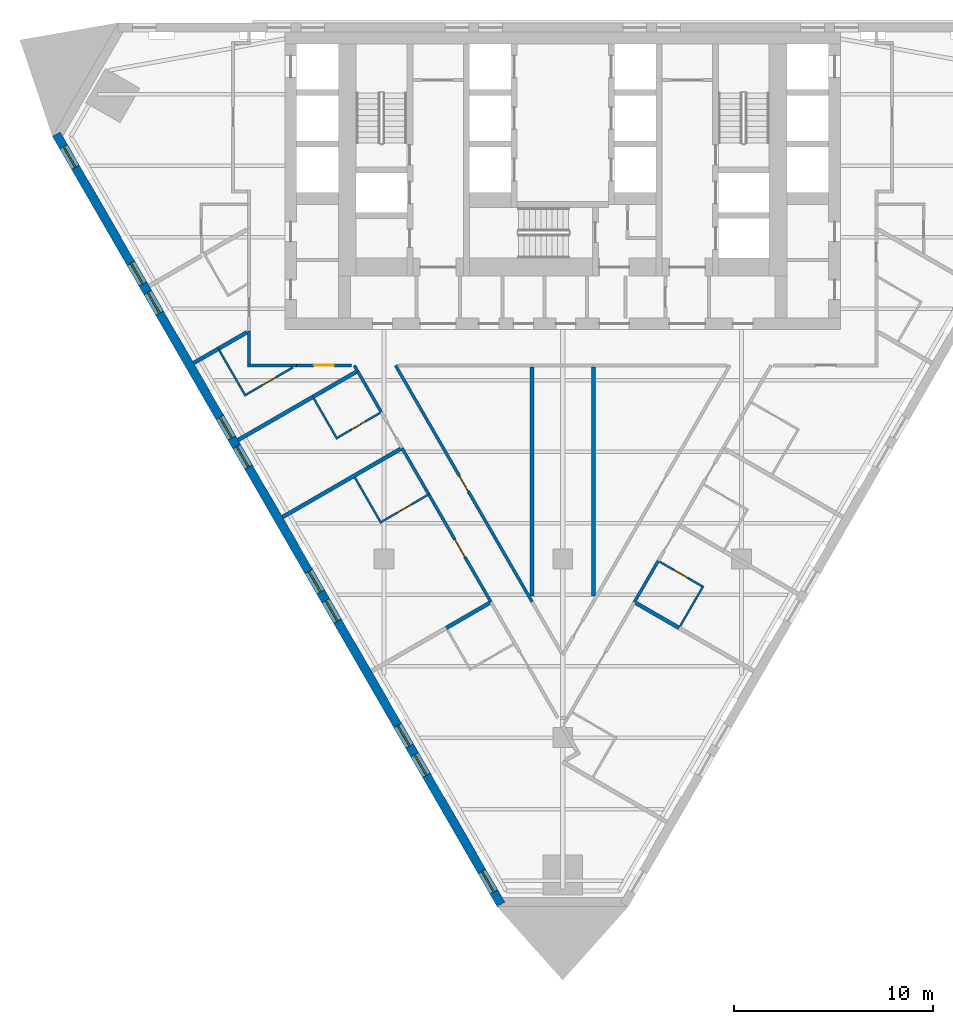
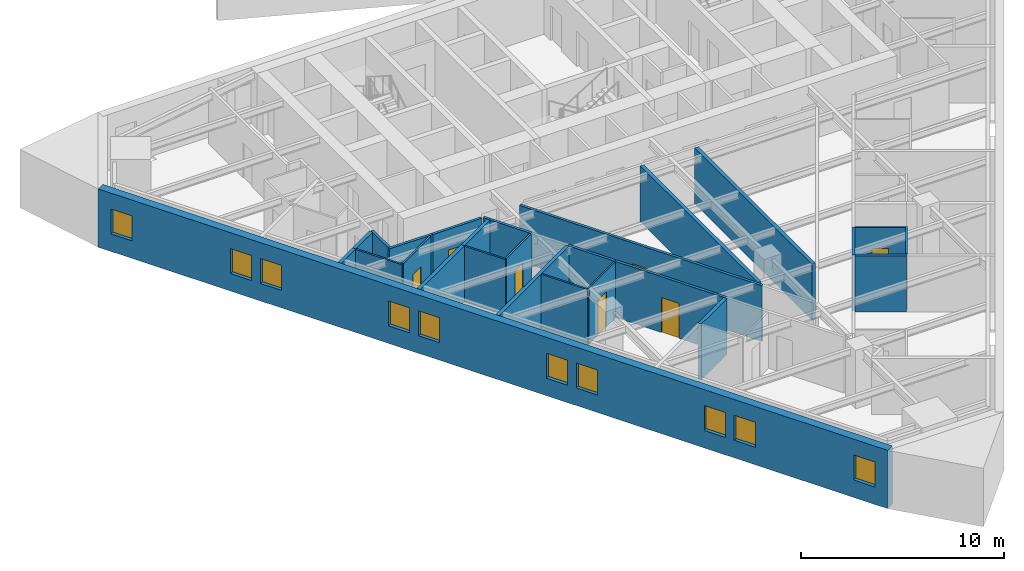
# One storey, part 3 of 11: 27 walls, 10 windows, 7 doors, 17 openings.
"""IFC4 building model written with IfcOpenShell, lengths in metres."""

from ifc_helpers import new_model, si_unit, direction, frame, frame_2d, origin, place, context, subcontext, project, spatial, polyline, rectangle, outline, extrude, material, layer, layer_set, type_object, element, fill, save


model = new_model("IFC4")

# Units and contexts
model_context = context("Model", 3, precision=1e-05, world=origin(), true_north=direction((0.0, 1.0)))
body_context = subcontext(model_context, "Body", "Model", "MODEL_VIEW")
ifc_project = project(units=[si_unit("LENGTHUNIT", "METRE"), si_unit("AREAUNIT", "SQUARE_METRE"), si_unit("VOLUMEUNIT", "CUBIC_METRE"), si_unit("PLANEANGLEUNIT", "RADIAN"), si_unit("MASSUNIT", "GRAM", prefix="KILO")], contexts=[model_context])

# Site, building, storey
site_placement = place(None, origin())
site = spatial("IfcSite", under=ifc_project, at=site_placement, CompositionType="ELEMENT")
building_placement = place(site_placement, origin())
building = spatial("IfcBuilding", under=site, at=building_placement, Name="Aloe Facet Convention Tower", CompositionType="ELEMENT")
storey_placement = place(building_placement, frame((0.0, 0.0, 38.5)))
storey = spatial("IfcBuildingStorey", under=building, at=storey_placement, Name="L07", CompositionType="ELEMENT", Elevation=38.5)

# Wall, openings, windows
ifc_material_1 = material(Name="Precast concrete C40/50", Category="concrete")
ifc_layer_1 = layer(ifc_material_1, 0.449951171875)
ifc_layer_set_1 = layer_set([ifc_layer_1], Name="EV-WALL-STONE")
wall_type_1 = type_object("IfcWallType", Name="EV-WALL-STONE", PredefinedType="SOLIDWALL", material=ifc_layer_set_1)
wall_1_placement = place(storey_placement, frame((54.494873046875, 129.396728515625, -0.14990234375), z_axis=(0.0, 0.0, 1.0), x_axis=(0.499999201451, -0.866025864826, 0.0)))
wall_1 = element("IfcWall", 1, at=wall_1_placement, inside=storey, type_object=wall_type_1, Name="EW-L07-W01", PredefinedType="SOLIDWALL", context=body_context, shape_type="SweptSolid", body=[
    extrude(outline(polyline([(44.800048828125, 0.0), (44.800048828125, 3.5), (0.0, 3.5), (0.0, 0.0), (44.800048828125, 0.0)])), frame((0.0, 0.22509765625, 0.0), z_axis=(0.0, -1.0, 0.0), x_axis=(1.0, 0.0, 0.0)), (0.0, 0.0, 1.0), 0.449951171875),
])
opening_1_placement = place(wall_1_placement, frame((0.72216796875, 0.0, 1.050048828125)))
opening_1 = element("IfcOpeningElement", 2, at=opening_1_placement, cuts=wall_1, Name="Opening W-L07-W01", PredefinedType="OPENING", context=body_context, shape_type="SweptSolid", body=[
    extrude(rectangle(XDim=1.199951171875, YDim=1.5, at=frame_2d((0.60009765625, 0.75))), frame((0.0, 0.23486328125, 0.0), z_axis=(0.0, -1.0, 0.0), x_axis=(1.0, 0.0, 0.0)), (0.0, 0.0, 1.0), 0.469970703125),
])
opening_2_placement = place(wall_1_placement, frame((7.510009765625, 0.0, 1.050048828125)))
opening_2 = element("IfcOpeningElement", 3, at=opening_2_placement, cuts=wall_1, Name="Opening W-L07-W02", PredefinedType="OPENING", context=body_context, shape_type="SweptSolid", body=[
    extrude(rectangle(XDim=1.199951171875, YDim=1.5, at=frame_2d((0.60009765625, 0.75))), frame((0.0, 0.23486328125, 0.0), z_axis=(0.0, -1.0, 0.0), x_axis=(1.0, 0.0, 0.0)), (0.0, 0.0, 1.0), 0.469970703125),
])
opening_3_placement = place(wall_1_placement, frame((9.2099609375, 0.0, 1.050048828125)))
opening_3 = element("IfcOpeningElement", 4, at=opening_3_placement, cuts=wall_1, Name="Opening W-L07-W03", PredefinedType="OPENING", context=body_context, shape_type="SweptSolid", body=[
    extrude(rectangle(XDim=1.199951171875, YDim=1.5, at=frame_2d((0.60009765625, 0.75))), frame((0.0, 0.23486328125, 0.0), z_axis=(0.0, -1.0, 0.0), x_axis=(1.0, 0.0, 0.0)), (0.0, 0.0, 1.0), 0.469970703125),
])
opening_4_placement = place(wall_1_placement, frame((16.469970703125, 0.0, 1.050048828125)))
opening_4 = element("IfcOpeningElement", 5, at=opening_4_placement, cuts=wall_1, Name="Opening W-L07-W04", PredefinedType="OPENING", context=body_context, shape_type="SweptSolid", body=[
    extrude(rectangle(XDim=1.199951171875, YDim=1.5, at=frame_2d((0.60009765625, 0.75))), frame((0.0, 0.23486328125, 0.0), z_axis=(0.0, -1.0, 0.0), x_axis=(1.0, 0.0, 0.0)), (0.0, 0.0, 1.0), 0.469970703125),
])
opening_5_placement = place(wall_1_placement, frame((18.169921875, 0.0, 1.050048828125)))
opening_5 = element("IfcOpeningElement", 6, at=opening_5_placement, cuts=wall_1, Name="Opening W-L07-W05", PredefinedType="OPENING", context=body_context, shape_type="SweptSolid", body=[
    extrude(rectangle(XDim=1.199951171875, YDim=1.5, at=frame_2d((0.60009765625, 0.75))), frame((0.0, 0.23486328125, 0.0), z_axis=(0.0, -1.0, 0.0), x_axis=(1.0, 0.0, 0.0)), (0.0, 0.0, 1.0), 0.469970703125),
])
opening_6_placement = place(wall_1_placement, frame((25.429931640625, 0.0, 1.050048828125)))
opening_6 = element("IfcOpeningElement", 7, at=opening_6_placement, cuts=wall_1, Name="Opening W-L07-W06", PredefinedType="OPENING", context=body_context, shape_type="SweptSolid", body=[
    extrude(rectangle(XDim=1.199951171875, YDim=1.5, at=frame_2d((0.60009765625, 0.75))), frame((0.0, 0.23486328125, 0.0), z_axis=(0.0, -1.0, 0.0), x_axis=(1.0, 0.0, 0.0)), (0.0, 0.0, 1.0), 0.469970703125),
])
opening_7_placement = place(wall_1_placement, frame((27.1298828125, 0.0, 1.050048828125)))
opening_7 = element("IfcOpeningElement", 8, at=opening_7_placement, cuts=wall_1, Name="Opening W-L07-W07", PredefinedType="OPENING", context=body_context, shape_type="SweptSolid", body=[
    extrude(rectangle(XDim=1.199951171875, YDim=1.5, at=frame_2d((0.60009765625, 0.75))), frame((0.0, 0.23486328125, 0.0), z_axis=(0.0, -1.0, 0.0), x_axis=(1.0, 0.0, 0.0)), (0.0, 0.0, 1.0), 0.469970703125),
])
opening_8_placement = place(wall_1_placement, frame((34.389892578125, 0.0, 1.050048828125)))
opening_8 = element("IfcOpeningElement", 9, at=opening_8_placement, cuts=wall_1, Name="Opening W-L07-W08", PredefinedType="OPENING", context=body_context, shape_type="SweptSolid", body=[
    extrude(rectangle(XDim=1.199951171875, YDim=1.5, at=frame_2d((0.60009765625, 0.75))), frame((0.0, 0.23486328125, 0.0), z_axis=(0.0, -1.0, 0.0), x_axis=(1.0, 0.0, 0.0)), (0.0, 0.0, 1.0), 0.469970703125),
])
opening_9_placement = place(wall_1_placement, frame((36.090087890625, 0.0, 1.050048828125)))
opening_9 = element("IfcOpeningElement", 10, at=opening_9_placement, cuts=wall_1, Name="Opening W-L07-W09", PredefinedType="OPENING", context=body_context, shape_type="SweptSolid", body=[
    extrude(rectangle(XDim=1.199951171875, YDim=1.5, at=frame_2d((0.60009765625, 0.75))), frame((0.0, 0.23486328125, 0.0), z_axis=(0.0, -1.0, 0.0), x_axis=(1.0, 0.0, 0.0)), (0.0, 0.0, 1.0), 0.469970703125),
])
opening_10_placement = place(wall_1_placement, frame((42.8779296875, 0.0, 1.050048828125)))
opening_10 = element("IfcOpeningElement", 11, at=opening_10_placement, cuts=wall_1, Name="Opening W-L07-W10", PredefinedType="OPENING", context=body_context, shape_type="SweptSolid", body=[
    extrude(rectangle(XDim=1.199951171875, YDim=1.5, at=frame_2d((0.60009765625, 0.75))), frame((0.0, 0.23486328125, 0.0), z_axis=(0.0, -1.0, 0.0), x_axis=(1.0, 0.0, 0.0)), (0.0, 0.0, 1.0), 0.469970703125),
])
ifc_material_2 = material(Name="Aluminium frame, clear double glazing", Category="aluminium")
window_type = type_object("IfcWindowType", Name="EV-WIN-H12", PartitioningType="SINGLE_PANEL", PredefinedType="WINDOW", material=ifc_material_2)
window_1_placement = place(opening_1_placement, origin())
window_1 = element("IfcWindow", 12, at=window_1_placement, inside=storey, type_object=window_type, Name="W-L07-W01", OverallHeight=1.5, OverallWidth=1.199951171875, PartitioningType="SINGLE_PANEL", PredefinedType="WINDOW", context=body_context, shape_type="SweptSolid", body=[
    extrude(rectangle(XDim=1.199951171875, YDim=1.5, at=frame_2d((0.60009765625, 0.75))), frame((0.0, 0.030029296875, 0.0), z_axis=(0.0, -1.0, 0.0), x_axis=(1.0, 0.0, 0.0)), (0.0, 0.0, 1.0), 0.06005859375),
])
fill(opening_1, window_1)
window_2_placement = place(opening_2_placement, origin())
window_2 = element("IfcWindow", 13, at=window_2_placement, inside=storey, type_object=window_type, Name="W-L07-W02", OverallHeight=1.5, OverallWidth=1.199951171875, PartitioningType="SINGLE_PANEL", PredefinedType="WINDOW", context=body_context, shape_type="SweptSolid", body=[
    extrude(rectangle(XDim=1.199951171875, YDim=1.5, at=frame_2d((0.60009765625, 0.75))), frame((0.0, 0.030029296875, 0.0), z_axis=(0.0, -1.0, 0.0), x_axis=(1.0, 0.0, 0.0)), (0.0, 0.0, 1.0), 0.06005859375),
])
fill(opening_2, window_2)
window_3_placement = place(opening_3_placement, origin())
window_3 = element("IfcWindow", 14, at=window_3_placement, inside=storey, type_object=window_type, Name="W-L07-W03", OverallHeight=1.5, OverallWidth=1.199951171875, PartitioningType="SINGLE_PANEL", PredefinedType="WINDOW", context=body_context, shape_type="SweptSolid", body=[
    extrude(rectangle(XDim=1.199951171875, YDim=1.5, at=frame_2d((0.60009765625, 0.75))), frame((0.0, 0.030029296875, 0.0), z_axis=(0.0, -1.0, 0.0), x_axis=(1.0, 0.0, 0.0)), (0.0, 0.0, 1.0), 0.06005859375),
])
fill(opening_3, window_3)
window_4_placement = place(opening_4_placement, origin())
window_4 = element("IfcWindow", 15, at=window_4_placement, inside=storey, type_object=window_type, Name="W-L07-W04", OverallHeight=1.5, OverallWidth=1.199951171875, PartitioningType="SINGLE_PANEL", PredefinedType="WINDOW", context=body_context, shape_type="SweptSolid", body=[
    extrude(rectangle(XDim=1.199951171875, YDim=1.5, at=frame_2d((0.60009765625, 0.75))), frame((0.0, 0.030029296875, 0.0), z_axis=(0.0, -1.0, 0.0), x_axis=(1.0, 0.0, 0.0)), (0.0, 0.0, 1.0), 0.06005859375),
])
fill(opening_4, window_4)
window_5_placement = place(opening_5_placement, origin())
window_5 = element("IfcWindow", 16, at=window_5_placement, inside=storey, type_object=window_type, Name="W-L07-W05", OverallHeight=1.5, OverallWidth=1.199951171875, PartitioningType="SINGLE_PANEL", PredefinedType="WINDOW", context=body_context, shape_type="SweptSolid", body=[
    extrude(rectangle(XDim=1.199951171875, YDim=1.5, at=frame_2d((0.60009765625, 0.75))), frame((0.0, 0.030029296875, 0.0), z_axis=(0.0, -1.0, 0.0), x_axis=(1.0, 0.0, 0.0)), (0.0, 0.0, 1.0), 0.06005859375),
])
fill(opening_5, window_5)
window_6_placement = place(opening_6_placement, origin())
window_6 = element("IfcWindow", 17, at=window_6_placement, inside=storey, type_object=window_type, Name="W-L07-W06", OverallHeight=1.5, OverallWidth=1.199951171875, PartitioningType="SINGLE_PANEL", PredefinedType="WINDOW", context=body_context, shape_type="SweptSolid", body=[
    extrude(rectangle(XDim=1.199951171875, YDim=1.5, at=frame_2d((0.60009765625, 0.75))), frame((0.0, 0.030029296875, 0.0), z_axis=(0.0, -1.0, 0.0), x_axis=(1.0, 0.0, 0.0)), (0.0, 0.0, 1.0), 0.06005859375),
])
fill(opening_6, window_6)
window_7_placement = place(opening_7_placement, origin())
window_7 = element("IfcWindow", 18, at=window_7_placement, inside=storey, type_object=window_type, Name="W-L07-W07", OverallHeight=1.5, OverallWidth=1.199951171875, PartitioningType="SINGLE_PANEL", PredefinedType="WINDOW", context=body_context, shape_type="SweptSolid", body=[
    extrude(rectangle(XDim=1.199951171875, YDim=1.5, at=frame_2d((0.60009765625, 0.75))), frame((0.0, 0.030029296875, 0.0), z_axis=(0.0, -1.0, 0.0), x_axis=(1.0, 0.0, 0.0)), (0.0, 0.0, 1.0), 0.06005859375),
])
fill(opening_7, window_7)
window_8_placement = place(opening_8_placement, origin())
window_8 = element("IfcWindow", 19, at=window_8_placement, inside=storey, type_object=window_type, Name="W-L07-W08", OverallHeight=1.5, OverallWidth=1.199951171875, PartitioningType="SINGLE_PANEL", PredefinedType="WINDOW", context=body_context, shape_type="SweptSolid", body=[
    extrude(rectangle(XDim=1.199951171875, YDim=1.5, at=frame_2d((0.60009765625, 0.75))), frame((0.0, 0.030029296875, 0.0), z_axis=(0.0, -1.0, 0.0), x_axis=(1.0, 0.0, 0.0)), (0.0, 0.0, 1.0), 0.06005859375),
])
fill(opening_8, window_8)
window_9_placement = place(opening_9_placement, origin())
window_9 = element("IfcWindow", 20, at=window_9_placement, inside=storey, type_object=window_type, Name="W-L07-W09", OverallHeight=1.5, OverallWidth=1.199951171875, PartitioningType="SINGLE_PANEL", PredefinedType="WINDOW", context=body_context, shape_type="SweptSolid", body=[
    extrude(rectangle(XDim=1.199951171875, YDim=1.5, at=frame_2d((0.60009765625, 0.75))), frame((0.0, 0.030029296875, 0.0), z_axis=(0.0, -1.0, 0.0), x_axis=(1.0, 0.0, 0.0)), (0.0, 0.0, 1.0), 0.06005859375),
])
fill(opening_9, window_9)
window_10_placement = place(opening_10_placement, origin())
window_10 = element("IfcWindow", 21, at=window_10_placement, inside=storey, type_object=window_type, Name="W-L07-W10", OverallHeight=1.5, OverallWidth=1.199951171875, PartitioningType="SINGLE_PANEL", PredefinedType="WINDOW", context=body_context, shape_type="SweptSolid", body=[
    extrude(rectangle(XDim=1.199951171875, YDim=1.5, at=frame_2d((0.60009765625, 0.75))), frame((0.0, 0.030029296875, 0.0), z_axis=(0.0, -1.0, 0.0), x_axis=(1.0, 0.0, 0.0)), (0.0, 0.0, 1.0), 0.06005859375),
])
fill(opening_10, window_10)

# Wall, opening, door
ifc_material_3 = material(Name="Gypsum board partition on steel studs", Category="steel")
ifc_layer_2 = layer(ifc_material_3, 0.14990234375)
ifc_layer_set_2 = layer_set([ifc_layer_2], Name="IN-W-CORR")
wall_type_2 = type_object("IfcWallType", Name="IN-W-CORR", PredefinedType="PARTITIONING", material=ifc_layer_set_2)
wall_2_placement = place(storey_placement, frame((73.253662109375, 111.255615234375, 0.0), z_axis=(0.0, 0.0, 1.0), x_axis=(0.5000044583, -0.866022829768, 0.0)))
wall_2 = element("IfcWall", 22, at=wall_2_placement, inside=storey, type_object=wall_type_2, Name="Partition L07-W024", PredefinedType="PARTITIONING", context=body_context, shape_type="SweptSolid", body=[
    extrude(rectangle(XDim=6.27001953125, YDim=0.14990234375, at=frame_2d((3.135009765625, 0.0))), origin(), (0.0, 0.0, 1.0), 3.35009765625),
])
opening_11_placement = place(wall_2_placement, frame((2.635009765625, 0.0, 0.0)))
opening_11 = element("IfcOpeningElement", 23, at=opening_11_placement, cuts=wall_2, Name="Opening L07-006", PredefinedType="OPENING", context=body_context, shape_type="SweptSolid", body=[
    extrude(rectangle(XDim=1.0, YDim=2.10009765625, at=frame_2d((0.5, 1.050048828125))), frame((0.0, 0.0849609375, 0.0), z_axis=(0.0, -1.0, 0.0), x_axis=(1.0, 0.0, 0.0)), (0.0, 0.0, 1.0), 0.169921875),
])
ifc_material_4 = material(Name="Hardwood flush door FD30S", Category="wood")
door_type_1 = type_object("IfcDoorType", Name="IN-D-WIDE", OperationType="SINGLE_SWING_LEFT", PredefinedType="DOOR", material=ifc_material_4)
door_1_placement = place(opening_11_placement, origin())
door_1 = element("IfcDoor", 24, at=door_1_placement, inside=storey, type_object=door_type_1, Name="Door L07-006", OperationType="SINGLE_SWING_LEFT", OverallHeight=2.10009765625, OverallWidth=1.0, PredefinedType="DOOR", context=body_context, shape_type="SweptSolid", body=[
    extrude(rectangle(XDim=1.0, YDim=2.10009765625, at=frame_2d((0.5, 1.050048828125))), frame((0.0, 0.02490234375, 0.0), z_axis=(0.0, -1.0, 0.0), x_axis=(1.0, 0.0, 0.0)), (0.0, 0.0, 1.0), 0.050048828125),
])
fill(opening_11, door_1)

# Wall
wall_3_placement = place(storey_placement, frame((83.611328125, 105.82568359375, 0.0), z_axis=(0.0, 0.0, 1.0), x_axis=(0.500077600433, 0.865980596518, 0.0)))
element("IfcWall", 25, at=wall_3_placement, inside=storey, type_object=wall_type_2, Name="Partition L07-W026", PredefinedType="PARTITIONING", context=body_context, shape_type="SweptSolid", body=[
    extrude(rectangle(XDim=2.39990234375, YDim=0.14990234375, at=frame_2d((1.199951171875, 0.0))), origin(), (0.0, 0.0, 1.0), 3.35009765625),
])

# Wall, opening, door
wall_4_placement = place(storey_placement, frame((71.58251953125, 117.75, 0.0), z_axis=(0.0, 0.0, 1.0), x_axis=(0.500001770766, -0.86602438143, 0.0)))
wall_4 = element("IfcWall", 26, at=wall_4_placement, inside=storey, type_object=wall_type_2, Name="Partition L07-W028", PredefinedType="PARTITIONING", context=body_context, shape_type="SweptSolid", body=[
    extrude(rectangle(XDim=13.7451171875, YDim=0.14990234375, at=frame_2d((6.87255859375, 0.0))), origin(), (0.0, 0.0, 1.0), 3.35009765625),
])
opening_12_placement = place(wall_4_placement, frame((6.42236328125, 0.0, 0.0)))
opening_12 = element("IfcOpeningElement", 27, at=opening_12_placement, cuts=wall_4, Name="Opening L07-013", PredefinedType="OPENING", context=body_context, shape_type="SweptSolid", body=[
    extrude(rectangle(XDim=0.89990234375, YDim=2.10009765625, at=frame_2d((0.449951171875, 1.050048828125))), frame((0.0, 0.0849609375, 0.0), z_axis=(0.0, -1.0, 0.0), x_axis=(1.0, 0.0, 0.0)), (0.0, 0.0, 1.0), 0.169921875),
])
ifc_material_5 = material(Name="Hardwood flush door FD30S", Category="wood")
door_type_2 = type_object("IfcDoorType", Name="IN-D-GUEST", OperationType="SINGLE_SWING_LEFT", PredefinedType="DOOR", material=ifc_material_5)
door_2_placement = place(opening_12_placement, origin())
door_2 = element("IfcDoor", 28, at=door_2_placement, inside=storey, type_object=door_type_2, Name="Door L07-013", OperationType="SINGLE_SWING_LEFT", OverallHeight=2.10009765625, OverallWidth=0.89990234375, PredefinedType="DOOR", context=body_context, shape_type="SweptSolid", body=[
    extrude(rectangle(XDim=0.89990234375, YDim=2.10009765625, at=frame_2d((0.449951171875, 1.050048828125))), frame((0.0, 0.02490234375, 0.0), z_axis=(0.0, -1.0, 0.0), x_axis=(1.0, 0.0, 0.0)), (0.0, 0.0, 1.0), 0.050048828125),
])
fill(opening_12, door_2)

# Walls
wall_5_placement = place(storey_placement, frame((71.90869140625, 113.585205078125, 0.0), z_axis=(0.0, 0.0, 1.0), x_axis=(0.499994808408, -0.866028401131, 0.0)))
element("IfcWall", 29, at=wall_5_placement, inside=storey, type_object=wall_type_2, Name="Partition L07-W049", PredefinedType="PARTITIONING", context=body_context, shape_type="SweptSolid", body=[
    extrude(rectangle(XDim=2.68994140625, YDim=0.14990234375, at=frame_2d((1.344970703125, 0.0))), origin(), (0.0, 0.0, 1.0), 3.35009765625),
])
wall_6_placement = place(storey_placement, frame((69.668701171875, 117.465087890625, 0.0), z_axis=(0.0, 0.0, 1.0), x_axis=(0.499940577336, -0.866059708757, 0.0)))
element("IfcWall", 30, at=wall_6_placement, inside=storey, type_object=wall_type_2, Name="Partition L07-W062", PredefinedType="PARTITIONING", context=body_context, shape_type="SweptSolid", body=[
    extrude(rectangle(XDim=2.389892578125, YDim=0.14990234375, at=frame_2d((1.19482421875, 0.0))), origin(), (0.0, 0.0, 1.0), 3.35009765625),
])
wall_7_placement = place(storey_placement, frame((69.504150390625, 117.75, 0.0), z_axis=(0.0, 0.0, 1.0), x_axis=(0.500129239174, -0.865950774653, 0.0)))
element("IfcWall", 31, at=wall_7_placement, inside=storey, type_object=wall_type_2, Name="Partition L07-W063", PredefinedType="PARTITIONING", context=body_context, shape_type="SweptSolid", body=[
    extrude(rectangle(XDim=0.3291015625, YDim=0.14990234375, at=frame_2d((0.16455078125, 0.0))), origin(), (0.0, 0.0, 1.0), 3.35009765625),
])
wall_8_placement = place(storey_placement, frame((64.125, 117.75, 0.0), z_axis=(0.0, 0.0, 1.0), x_axis=(1.0, 0.0, 0.0)))
element("IfcWall", 32, at=wall_8_placement, inside=storey, type_object=wall_type_2, Name="Partition L07-W064", PredefinedType="PARTITIONING", context=body_context, shape_type="SweptSolid", body=[
    extrude(rectangle(XDim=2.45703125, YDim=0.14990234375, at=frame_2d((1.228515625, 0.0))), origin(), (0.0, 0.0, 1.0), 3.35009765625),
])

# Wall, opening, door
wall_9_placement = place(storey_placement, frame((66.58203125, 117.75, 0.0), z_axis=(0.0, 0.0, 1.0), x_axis=(1.0, 0.0, 0.0)))
wall_9 = element("IfcWall", 33, at=wall_9_placement, inside=storey, type_object=wall_type_2, Name="Partition L07-W066", PredefinedType="PARTITIONING", context=body_context, shape_type="SweptSolid", body=[
    extrude(rectangle(XDim=2.792236328125, YDim=0.14990234375, at=frame_2d((1.39599609375, 0.0))), origin(), (0.0, 0.0, 1.0), 3.35009765625),
])
opening_13_placement = place(wall_9_placement, frame((0.89599609375, 0.0, 0.0)))
opening_13 = element("IfcOpeningElement", 34, at=opening_13_placement, cuts=wall_9, Name="Opening L07-004", PredefinedType="OPENING", context=body_context, shape_type="SweptSolid", body=[
    extrude(rectangle(XDim=1.0, YDim=2.10009765625, at=frame_2d((0.5, 1.050048828125))), frame((0.0, 0.0849609375, 0.0), z_axis=(0.0, -1.0, 0.0), x_axis=(1.0, 0.0, 0.0)), (0.0, 0.0, 1.0), 0.169921875),
])
door_3_placement = place(opening_13_placement, origin())
door_3 = element("IfcDoor", 35, at=door_3_placement, inside=storey, type_object=door_type_1, Name="Door L07-004", OperationType="SINGLE_SWING_LEFT", OverallHeight=2.10009765625, OverallWidth=1.0, PredefinedType="DOOR", context=body_context, shape_type="SweptSolid", body=[
    extrude(rectangle(XDim=1.0, YDim=2.10009765625, at=frame_2d((0.5, 1.050048828125))), frame((0.0, 0.02490234375, 0.0), z_axis=(0.0, -1.0, 0.0), x_axis=(1.0, 0.0, 0.0)), (0.0, 0.0, 1.0), 0.050048828125),
])
fill(opening_13, door_3)

# Walls
wall_10_placement = place(storey_placement, frame((64.199951171875, 117.824951171875, 0.0), z_axis=(0.0, 0.0, 1.0), x_axis=(0.0, 1.0, 0.0)))
element("IfcWall", 36, at=wall_10_placement, inside=storey, type_object=wall_type_2, Name="Partition L07-W075", PredefinedType="PARTITIONING", context=body_context, shape_type="SweptSolid", body=[
    extrude(rectangle(XDim=1.65576171875, YDim=0.14990234375, at=frame_2d((0.827880859375, 0.0))), origin(), (0.0, 0.0, 1.0), 3.35009765625),
])
ifc_material_6 = material(Name="Gypsum board partition on steel studs", Category="steel")
ifc_layer_3 = layer(ifc_material_6, 0.10009765625)
ifc_layer_set_3 = layer_set([ifc_layer_3], Name="IN-W-PART")
wall_type_3 = type_object("IfcWallType", Name="IN-W-PART", PredefinedType="PARTITIONING", material=ifc_layer_set_3)
wall_11_placement = place(storey_placement, frame((85.91796875, 104.620849609375, 0.0), z_axis=(0.0, 0.0, 1.0), x_axis=(0.500032503492, 0.866006637072, 0.0)))
element("IfcWall", 37, at=wall_11_placement, inside=storey, type_object=wall_type_3, Name="Partition L07-W033", PredefinedType="PARTITIONING", context=body_context, shape_type="SweptSolid", body=[
    extrude(rectangle(XDim=2.340087890625, YDim=0.10009765625, at=frame_2d((1.169921875, 0.0))), origin(), (0.0, 0.0, 1.0), 3.35009765625),
])

# Wall, opening, door
wall_12_placement = place(storey_placement, frame((84.885009765625, 107.861572265625, 0.0), z_axis=(0.0, 0.0, 1.0), x_axis=(0.866040446274, -0.499973944738, 0.0)))
wall_12 = element("IfcWall", 38, at=wall_12_placement, inside=storey, type_object=wall_type_3, Name="Partition L07-W034", PredefinedType="PARTITIONING", context=body_context, shape_type="SweptSolid", body=[
    extrude(rectangle(XDim=2.465087890625, YDim=0.10009765625, at=frame_2d((1.232421875, 0.0))), origin(), (0.0, 0.0, 1.0), 3.35009765625),
])
opening_14_placement = place(wall_12_placement, frame((0.83251953125, 0.0, 0.0)))
opening_14 = element("IfcOpeningElement", 39, at=opening_14_placement, cuts=wall_12, Name="Opening L07-024", PredefinedType="OPENING", context=body_context, shape_type="SweptSolid", body=[
    extrude(rectangle(XDim=0.800048828125, YDim=2.10009765625, at=frame_2d((0.39990234375, 1.050048828125))), frame((0.0, 0.06005859375, 0.0), z_axis=(0.0, -1.0, 0.0), x_axis=(1.0, 0.0, 0.0)), (0.0, 0.0, 1.0), 0.1201171875),
])
ifc_material_7 = material(Name="Timber flush door", Category="wood")
door_type_3 = type_object("IfcDoorType", Name="IN-D-BATH", OperationType="SINGLE_SWING_LEFT", PredefinedType="DOOR", material=ifc_material_7)
door_4_placement = place(opening_14_placement, origin())
door_4 = element("IfcDoor", 40, at=door_4_placement, inside=storey, type_object=door_type_3, Name="Door L07-024", OperationType="SINGLE_SWING_LEFT", OverallHeight=2.10009765625, OverallWidth=0.800048828125, PredefinedType="DOOR", context=body_context, shape_type="SweptSolid", body=[
    extrude(rectangle(XDim=0.800048828125, YDim=2.10009765625, at=frame_2d((0.39990234375, 1.050048828125))), frame((0.0, 0.02490234375, 0.0), z_axis=(0.0, -1.0, 0.0), x_axis=(1.0, 0.0, 0.0)), (0.0, 0.0, 1.0), 0.050048828125),
])
fill(opening_14, door_4)

# Wall
wall_13_placement = place(storey_placement, frame((69.53369140625, 112.0986328125, 0.0), z_axis=(0.0, 0.0, 1.0), x_axis=(0.499993606316, -0.866029095148, 0.0)))
element("IfcWall", 41, at=wall_13_placement, inside=storey, type_object=wall_type_3, Name="Partition L07-W039", PredefinedType="PARTITIONING", context=body_context, shape_type="SweptSolid", body=[
    extrude(rectangle(XDim=2.64990234375, YDim=0.10009765625, at=frame_2d((1.324951171875, 0.0))), origin(), (0.0, 0.0, 1.0), 3.35009765625),
])

# Wall, opening, door
wall_14_placement = place(storey_placement, frame((70.885498046875, 109.877197265625, 0.0), z_axis=(0.0, 0.0, 1.0), x_axis=(0.864248761918, 0.503064685228, 0.0)))
wall_14 = element("IfcWall", 42, at=wall_14_placement, inside=storey, type_object=wall_type_3, Name="Partition L07-W043", PredefinedType="PARTITIONING", context=body_context, shape_type="SweptSolid", body=[
    extrude(rectangle(XDim=2.655029296875, YDim=0.10009765625, at=frame_2d((1.32763671875, 0.0))), origin(), (0.0, 0.0, 1.0), 3.35009765625),
])
opening_15_placement = place(wall_14_placement, frame((0.927490234375, 0.0, 0.0)))
opening_15 = element("IfcOpeningElement", 43, at=opening_15_placement, cuts=wall_14, Name="Opening L07-021", PredefinedType="OPENING", context=body_context, shape_type="SweptSolid", body=[
    extrude(rectangle(XDim=0.800048828125, YDim=2.10009765625, at=frame_2d((0.39990234375, 1.050048828125))), frame((0.0, 0.06005859375, 0.0), z_axis=(0.0, -1.0, 0.0), x_axis=(1.0, 0.0, 0.0)), (0.0, 0.0, 1.0), 0.1201171875),
])
door_5_placement = place(opening_15_placement, origin())
door_5 = element("IfcDoor", 44, at=door_5_placement, inside=storey, type_object=door_type_3, Name="Door L07-021", OperationType="SINGLE_SWING_LEFT", OverallHeight=2.10009765625, OverallWidth=0.800048828125, PredefinedType="DOOR", context=body_context, shape_type="SweptSolid", body=[
    extrude(rectangle(XDim=0.800048828125, YDim=2.10009765625, at=frame_2d((0.39990234375, 1.050048828125))), frame((0.0, 0.02490234375, 0.0), z_axis=(0.0, -1.0, 0.0), x_axis=(1.0, 0.0, 0.0)), (0.0, 0.0, 1.0), 0.050048828125),
])
fill(opening_15, door_5)

# Wall
wall_15_placement = place(storey_placement, frame((67.471923828125, 116.06982421875, 0.0), z_axis=(0.0, 0.0, 1.0), x_axis=(0.499954256575, -0.866051812152, 0.0)))
element("IfcWall", 45, at=wall_15_placement, inside=storey, type_object=wall_type_3, Name="Partition L07-W056", PredefinedType="PARTITIONING", context=body_context, shape_type="SweptSolid", body=[
    extrude(rectangle(XDim=2.340087890625, YDim=0.10009765625, at=frame_2d((1.169921875, 0.0))), origin(), (0.0, 0.0, 1.0), 3.35009765625),
])

# Wall, opening, door
wall_16_placement = place(storey_placement, frame((68.668701171875, 114.11669921875, 0.0), z_axis=(0.0, 0.0, 1.0), x_axis=(0.864063696467, 0.503382487227, 0.0)))
wall_16 = element("IfcWall", 46, at=wall_16_placement, inside=storey, type_object=wall_type_3, Name="Partition L07-W058", PredefinedType="PARTITIONING", context=body_context, shape_type="SweptSolid", body=[
    extrude(rectangle(XDim=2.455078125, YDim=0.10009765625, at=frame_2d((1.2275390625, 0.0))), origin(), (0.0, 0.0, 1.0), 3.35009765625),
])
opening_16_placement = place(wall_16_placement, frame((0.827392578125, 0.0, 0.0)))
opening_16 = element("IfcOpeningElement", 47, at=opening_16_placement, cuts=wall_16, Name="Opening L07-020", PredefinedType="OPENING", context=body_context, shape_type="SweptSolid", body=[
    extrude(rectangle(XDim=0.800048828125, YDim=2.10009765625, at=frame_2d((0.39990234375, 1.050048828125))), frame((0.0, 0.06005859375, 0.0), z_axis=(0.0, -1.0, 0.0), x_axis=(1.0, 0.0, 0.0)), (0.0, 0.0, 1.0), 0.1201171875),
])
door_6_placement = place(opening_16_placement, origin())
door_6 = element("IfcDoor", 48, at=door_6_placement, inside=storey, type_object=door_type_3, Name="Door L07-020", OperationType="SINGLE_SWING_LEFT", OverallHeight=2.10009765625, OverallWidth=0.800048828125, PredefinedType="DOOR", context=body_context, shape_type="SweptSolid", body=[
    extrude(rectangle(XDim=0.800048828125, YDim=2.10009765625, at=frame_2d((0.39990234375, 1.050048828125))), frame((0.0, 0.02490234375, 0.0), z_axis=(0.0, -1.0, 0.0), x_axis=(1.0, 0.0, 0.0)), (0.0, 0.0, 1.0), 0.050048828125),
])
fill(opening_16, door_6)

# Wall
wall_17_placement = place(storey_placement, frame((62.708984375, 118.492919921875, 0.0), z_axis=(0.0, 0.0, 1.0), x_axis=(0.500048002682, -0.865997687649, 0.0)))
element("IfcWall", 49, at=wall_17_placement, inside=storey, type_object=wall_type_3, Name="Partition L07-W061", PredefinedType="PARTITIONING", context=body_context, shape_type="SweptSolid", body=[
    extrude(rectangle(XDim=2.639892578125, YDim=0.10009765625, at=frame_2d((1.31982421875, 0.0))), origin(), (0.0, 0.0, 1.0), 3.35009765625),
])

# Wall, opening, door
wall_18_placement = place(storey_placement, frame((64.055908203125, 116.2802734375, 0.0), z_axis=(0.0, 0.0, 1.0), x_axis=(0.864358276906, 0.50287649492, 0.0)))
wall_18 = element("IfcWall", 50, at=wall_18_placement, inside=storey, type_object=wall_type_3, Name="Partition L07-W065", PredefinedType="PARTITIONING", context=body_context, shape_type="SweptSolid", body=[
    extrude(rectangle(XDim=2.7177734375, YDim=0.10009765625, at=frame_2d((1.35888671875, 0.0))), origin(), (0.0, 0.0, 1.0), 3.35009765625),
])
opening_17_placement = place(wall_18_placement, frame((0.958740234375, 0.0, 0.0)))
opening_17 = element("IfcOpeningElement", 51, at=opening_17_placement, cuts=wall_18, Name="Opening L07-019", PredefinedType="OPENING", context=body_context, shape_type="SweptSolid", body=[
    extrude(rectangle(XDim=0.800048828125, YDim=2.10009765625, at=frame_2d((0.39990234375, 1.050048828125))), frame((0.0, 0.06005859375, 0.0), z_axis=(0.0, -1.0, 0.0), x_axis=(1.0, 0.0, 0.0)), (0.0, 0.0, 1.0), 0.1201171875),
])
door_7_placement = place(opening_17_placement, origin())
door_7 = element("IfcDoor", 52, at=door_7_placement, inside=storey, type_object=door_type_3, Name="Door L07-019", OperationType="SINGLE_SWING_LEFT", OverallHeight=2.10009765625, OverallWidth=0.800048828125, PredefinedType="DOOR", context=body_context, shape_type="SweptSolid", body=[
    extrude(rectangle(XDim=0.800048828125, YDim=2.10009765625, at=frame_2d((0.39990234375, 1.050048828125))), frame((0.0, 0.02490234375, 0.0), z_axis=(0.0, -1.0, 0.0), x_axis=(1.0, 0.0, 0.0)), (0.0, 0.0, 1.0), 0.050048828125),
])
fill(opening_17, door_7)

# Walls
ifc_material_8 = material(Name="Gypsum board partition on steel studs", Category="steel")
ifc_layer_4 = layer(ifc_material_8, 0.199951171875)
ifc_layer_set_4 = layer_set([ifc_layer_4], Name="IN-W-PARTY")
wall_type_4 = type_object("IfcWallType", Name="IN-W-PARTY", PredefinedType="PARTITIONING", material=ifc_layer_set_4)
for number, where, z_axis, x_axis, name in (
    (53, (83.68505859375, 105.783203125, 0.0), (0.0, 0.0, 1.0), (0.866006140796, -0.500033362991, 0.0), "Partition L07-W020"),
    (54, (74.136962890625, 104.525634765625, 0.0), (0.0, 0.0, 1.0), (0.866006140796, 0.500033362991, 0.0), "Partition L07-W023"),
):
    element("IfcWall", number, at=place(storey_placement, frame(where, z_axis=z_axis, x_axis=x_axis)), inside=storey, type_object=wall_type_4, Name=name, PredefinedType="PARTITIONING", context=body_context, shape_type="SweptSolid", body=[
        extrude(rectangle(XDim=2.514892578125, YDim=0.199951171875, at=frame_2d((1.25732421875, 0.0))), origin(), (0.0, 0.0, 1.0), 3.35009765625),
    ])
for number, where, z_axis, x_axis, name in (
    (55, (78.455078125, 106.1416015625, 0.0), (0.0, 0.0, 1.0), (0.0, 1.0, 0.0), "Partition L07-W029"),
    (56, (81.544921875, 106.1416015625, 0.0), (0.0, 0.0, 1.0), (0.0, 1.0, 0.0), "Partition L07-W030"),
):
    element("IfcWall", number, at=place(storey_placement, frame(where, z_axis=z_axis, x_axis=x_axis)), inside=storey, type_object=wall_type_4, Name=name, PredefinedType="PARTITIONING", context=body_context, shape_type="SweptSolid", body=[
        extrude(rectangle(XDim=11.533447265625, YDim=0.199951171875, at=frame_2d((5.7666015625, 0.0))), origin(), (0.0, 0.0, 1.0), 3.35009765625),
    ])
wall_19_placement = place(storey_placement, frame((65.8896484375, 110.1103515625, 0.0), z_axis=(0.0, 0.0, 1.0), x_axis=(0.86603516302, 0.499983096127, 0.0)))
element("IfcWall", 57, at=wall_19_placement, inside=storey, type_object=wall_type_4, Name="Partition L07-W040", PredefinedType="PARTITIONING", context=body_context, shape_type="SweptSolid", body=[
    extrude(rectangle(XDim=6.864990234375, YDim=0.199951171875, at=frame_2d((3.4326171875, 0.0))), origin(), (0.0, 0.0, 1.0), 3.35009765625),
])
wall_20_placement = place(storey_placement, frame((63.649658203125, 113.989990234375, 0.0), z_axis=(0.0, 0.0, 1.0), x_axis=(0.866027639635, 0.499996127374, 0.0)))
element("IfcWall", 58, at=wall_20_placement, inside=storey, type_object=wall_type_4, Name="Partition L07-W055", PredefinedType="PARTITIONING", context=body_context, shape_type="SweptSolid", body=[
    extrude(rectangle(XDim=4.35009765625, YDim=0.199951171875, at=frame_2d((2.175048828125, 0.0))), origin(), (0.0, 0.0, 1.0), 3.35009765625),
])
wall_21_placement = place(storey_placement, frame((67.4169921875, 116.1650390625, 0.0), z_axis=(0.0, 0.0, 1.0), x_axis=(0.866006140796, 0.500033362991, 0.0)))
element("IfcWall", 59, at=wall_21_placement, inside=storey, type_object=wall_type_4, Name="Partition L07-W060", PredefinedType="PARTITIONING", context=body_context, shape_type="SweptSolid", body=[
    extrude(rectangle(XDim=2.514892578125, YDim=0.199951171875, at=frame_2d((1.25732421875, 0.0))), origin(), (0.0, 0.0, 1.0), 3.35009765625),
])
wall_22_placement = place(storey_placement, frame((61.40966796875, 117.869873046875, 0.0), z_axis=(0.0, 0.0, 1.0), x_axis=(0.866007328409, 0.500031306162, 0.0)))
element("IfcWall", 60, at=wall_22_placement, inside=storey, type_object=wall_type_4, Name="Partition L07-W072", PredefinedType="PARTITIONING", context=body_context, shape_type="SweptSolid", body=[
    extrude(rectangle(XDim=1.43701171875, YDim=0.199951171875, at=frame_2d((0.718505859375, 0.0))), origin(), (0.0, 0.0, 1.0), 3.35009765625),
])
wall_23_placement = place(storey_placement, frame((62.654052734375, 118.58837890625, 0.0), z_axis=(0.0, 0.0, 1.0), x_axis=(0.866090081402, 0.499887958344, 0.0)))
element("IfcWall", 61, at=wall_23_placement, inside=storey, type_object=wall_type_4, Name="Partition L07-W074", PredefinedType="PARTITIONING", context=body_context, shape_type="SweptSolid", body=[
    extrude(rectangle(XDim=1.66015625, YDim=0.199951171875, at=frame_2d((0.830078125, 0.0))), origin(), (0.0, 0.0, 1.0), 3.35009765625),
])

save(model, "model.ifc")
